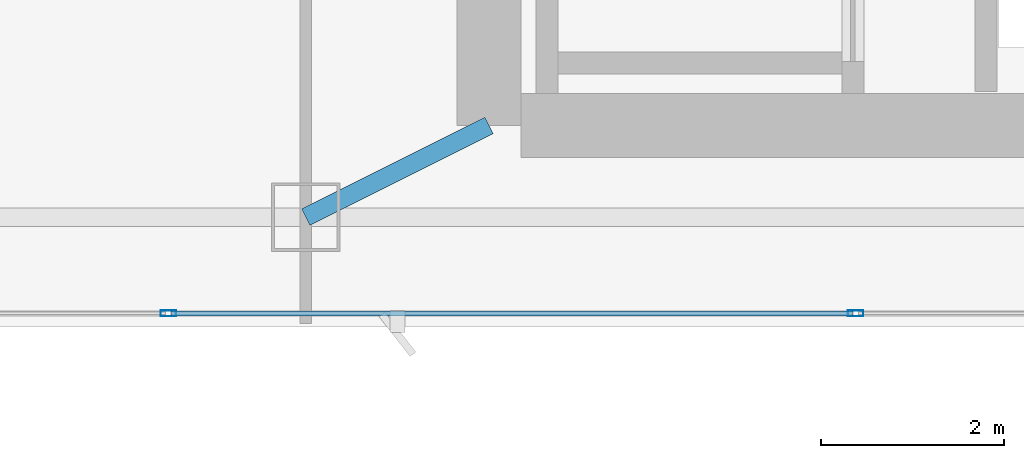
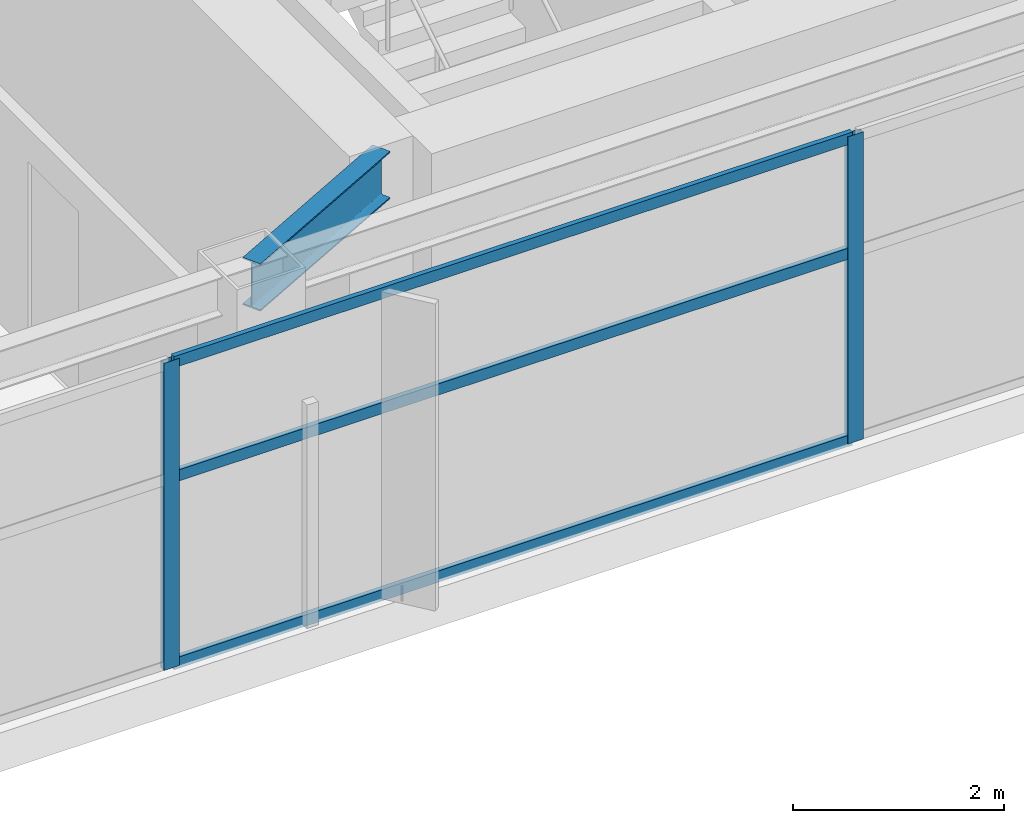
# One storey, part 7 of 28: 5 members, 1 beam, 1 element without a shape of its own.
"""IFC4 building model written with IfcOpenShell, lengths in metres."""

from ifc_helpers import new_model, si_unit, direction, frame, origin, origin_2d, place, context, subcontext, project, spatial, hollow_rectangle, i_section, extrude, material, layer, layer_set, material_profile, profile_set, type_object, element, aggregate, save


model = new_model("IFC4")

# Units and contexts
model_context = context("Model", 3, precision=1e-05, world=origin(), true_north=direction((0.0, 1.0)))
body_context = subcontext(model_context, "Body", "Model", "MODEL_VIEW")
ifc_project = project(units=[si_unit("LENGTHUNIT", "METRE"), si_unit("AREAUNIT", "SQUARE_METRE"), si_unit("VOLUMEUNIT", "CUBIC_METRE"), si_unit("PLANEANGLEUNIT", "RADIAN"), si_unit("MASSUNIT", "GRAM", prefix="KILO")], contexts=[model_context])

# Site, building, storey
site_placement = place(None, origin())
site = spatial("IfcSite", under=ifc_project, at=site_placement, CompositionType="ELEMENT")
building_placement = place(site_placement, origin())
building = spatial("IfcBuilding", under=site, at=building_placement, Name="Calvorn Quay Hotel", CompositionType="ELEMENT")
storey_placement = place(building_placement, frame((0.0, 0.0, 263.5)))
storey = spatial("IfcBuildingStorey", under=building, at=storey_placement, Name="L65", CompositionType="ELEMENT", Elevation=263.5)

# Beam
ifc_material_1 = material(Name="Steel Q355B", Category="steel")
ifc_material_profile_1 = material_profile(ifc_material_1, i_section(OverallWidth=0.199951171875, OverallDepth=0.550048828125, WebThickness=0.010009765625, FlangeThickness=0.01611328125, FilletRadius=0.01806640625, at=origin_2d()), Name="HN550x200x10x16")
ifc_profile_set_1 = profile_set([ifc_material_profile_1], Name="Steel Q355B")
beam_type = type_object("IfcBeamType", Name="BM-GIRD-UPP", PredefinedType="BEAM", material=ifc_profile_set_1)
beam_placement = place(storey_placement, frame((19.60009765625, 3.60009765625, 3.264892578125), z_axis=(0.894427191, 0.4472135955, 0.0), x_axis=(-0.4472135955, 0.894427191, 0.0)))
element("IfcBeam", 1, at=beam_placement, inside=storey, type_object=beam_type, Name="Beam BG-L65-S2", PredefinedType="BEAM", context=body_context, shape_type="SweptSolid", body=[
    extrude(i_section(OverallWidth=0.199951171875, OverallDepth=0.550048828125, WebThickness=0.010009765625, FlangeThickness=0.01611328125, FilletRadius=0.01806640625, at=origin_2d()), origin(), (0.0, 0.0, 1.0), 2.236083984375),
])

# Curtain wall, members
ifc_material_2 = material(Name="Champagne Bronze Anodised Aluminium and Low-E Glass", Category="aluminium")
ifc_layer = layer(ifc_material_2, 0.219970703125)
ifc_layer_set = layer_set([ifc_layer], Name="CW-SYS-Z4")
curtain_wall_type = type_object("IfcCurtainWallType", Name="CW-SYS-Z4", PredefinedType="NOTDEFINED", material=ifc_layer_set)
curtain_wall_placement = place(storey_placement, origin())
curtain_wall = element("IfcCurtainWall", 2, at=curtain_wall_placement, inside=storey, type_object=curtain_wall_type, Name="Tower South Waterfront Curtain Wall (L65)", PredefinedType="NOTDEFINED")
ifc_material_3 = material(Name="Champagne Bronze Anodised Aluminium 6063-T6", Category="aluminium")
ifc_material_profile_2 = material_profile(ifc_material_3, hollow_rectangle(XDim=0.06494140625, YDim=0.169921875, WallThickness=0.00341796875, at=origin_2d()), Name="ALU-M170x65x3.5")
ifc_profile_set_2 = profile_set([ifc_material_profile_2], Name="Champagne Bronze Anodised Aluminium 6063-T6")
member_type_1 = type_object("IfcMemberType", Name="CW-SYS-Z4-MUL", PredefinedType="MULLION", material=ifc_profile_set_2)
member_1_placement = place(storey_placement, frame((18.10009765625, 2.550048828125, 0.0), z_axis=(0.0, 0.0, 1.0), x_axis=(0.0, 1.0, 0.0)))
member_1 = element("IfcMember", 3, at=member_1_placement, type_object=member_type_1, Name="CW-L65-S mullion 2", PredefinedType="MULLION", context=body_context, shape_type="SweptSolid", body=[
    extrude(hollow_rectangle(XDim=0.06494140625, YDim=0.169921875, WallThickness=0.00341796875, at=origin_2d()), origin(), (0.0, 0.0, 1.0), 3.56005859375),
])
member_2_placement = place(storey_placement, frame((25.60009765625, 2.550048828125, 0.0), z_axis=(0.0, 0.0, 1.0), x_axis=(0.0, 1.0, 0.0)))
member_2 = element("IfcMember", 4, at=member_2_placement, type_object=member_type_1, Name="CW-L65-S mullion 3", PredefinedType="MULLION", context=body_context, shape_type="SweptSolid", body=[
    extrude(hollow_rectangle(XDim=0.06494140625, YDim=0.169921875, WallThickness=0.00341796875, at=origin_2d()), origin(), (0.0, 0.0, 1.0), 3.56005859375),
])
ifc_material_4 = material(Name="Champagne Bronze Anodised Aluminium 6063-T6", Category="aluminium")
ifc_material_profile_3 = material_profile(ifc_material_4, hollow_rectangle(XDim=0.054931640625, YDim=0.1298828125, WallThickness=0.003173828125, at=origin_2d()), Name="ALU-T130x55x3.2")
ifc_profile_set_3 = profile_set([ifc_material_profile_3], Name="Champagne Bronze Anodised Aluminium 6063-T6")
member_type_2 = type_object("IfcMemberType", Name="CW-SYS-Z4-TRN", PredefinedType="USERDEFINED", material=ifc_profile_set_3)
member_3_placement = place(storey_placement, frame((18.1298828125, 2.550048828125, 0.030029296875), z_axis=(1.0, 0.0, 0.0), x_axis=(0.0, 1.0, 0.0)))
member_3 = element("IfcMember", 5, at=member_3_placement, type_object=member_type_2, Name="CW-L65-S transom 2.1", ObjectType="TRANSOM", PredefinedType="USERDEFINED", context=body_context, shape_type="SweptSolid", body=[
    extrude(hollow_rectangle(XDim=0.054931640625, YDim=0.1298828125, WallThickness=0.003173828125, at=origin_2d()), origin(), (0.0, 0.0, 1.0), 7.440185546875),
])
member_4_placement = place(storey_placement, frame((18.1298828125, 2.550048828125, 2.199951171875), z_axis=(1.0, 0.0, 0.0), x_axis=(0.0, 1.0, 0.0)))
member_4 = element("IfcMember", 6, at=member_4_placement, type_object=member_type_2, Name="CW-L65-S transom 2.2", ObjectType="TRANSOM", PredefinedType="USERDEFINED", context=body_context, shape_type="SweptSolid", body=[
    extrude(hollow_rectangle(XDim=0.054931640625, YDim=0.1298828125, WallThickness=0.003173828125, at=origin_2d()), origin(), (0.0, 0.0, 1.0), 7.440185546875),
])
member_5_placement = place(storey_placement, frame((18.1298828125, 2.550048828125, 3.530029296875), z_axis=(1.0, 0.0, 0.0), x_axis=(0.0, 1.0, 0.0)))
member_5 = element("IfcMember", 7, at=member_5_placement, type_object=member_type_2, Name="CW-L65-S transom 2.3", ObjectType="TRANSOM", PredefinedType="USERDEFINED", context=body_context, shape_type="SweptSolid", body=[
    extrude(hollow_rectangle(XDim=0.054931640625, YDim=0.1298828125, WallThickness=0.003173828125, at=origin_2d()), origin(), (0.0, 0.0, 1.0), 7.440185546875),
])
aggregate(curtain_wall, [member_1, member_2, member_3, member_4, member_5])

save(model, "model.ifc")
